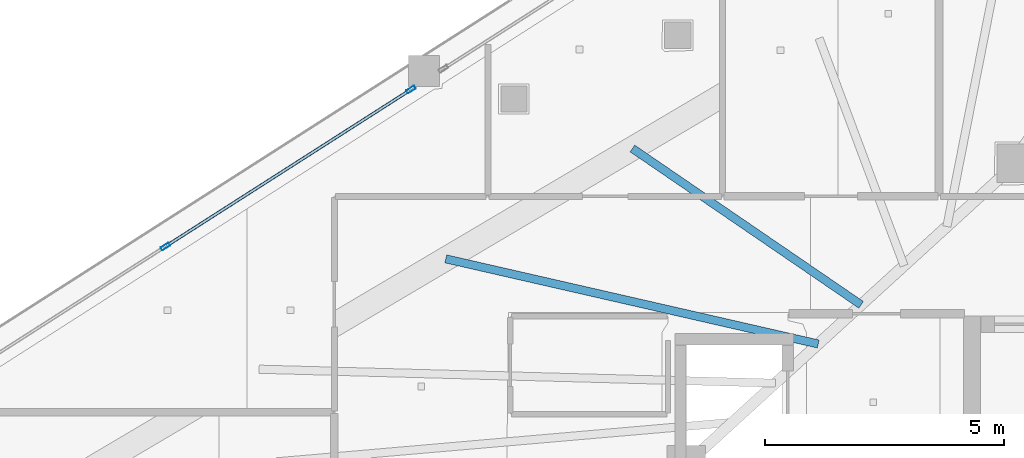
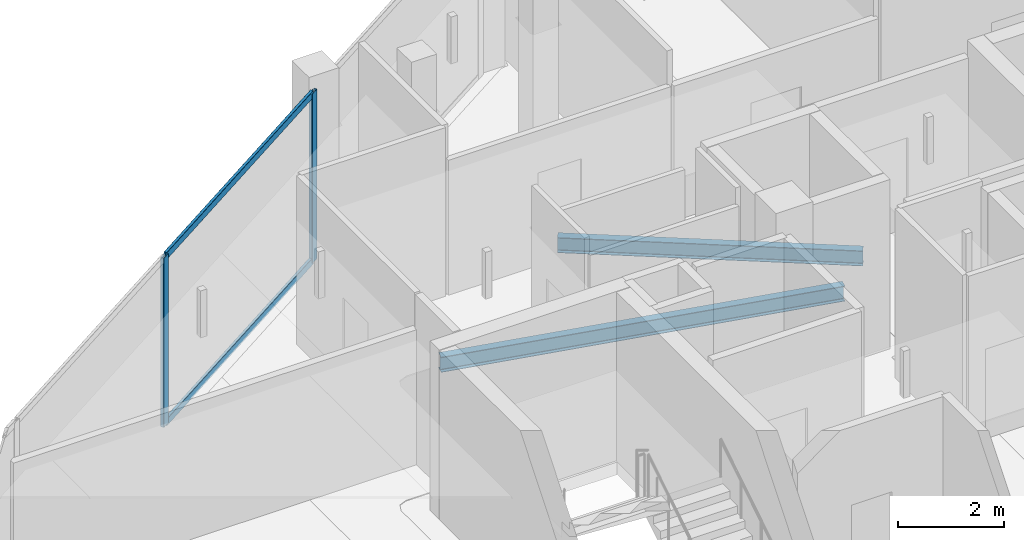
# One storey, part 15 of 33: 4 members, 2 beams, 1 element without a shape of its own.
"""IFC4 building model written with IfcOpenShell, lengths in metres."""

from ifc_helpers import new_model, si_unit, direction, frame, origin, origin_2d, place, context, subcontext, project, spatial, hollow_rectangle, i_section, extrude, material, layer, layer_set, material_profile, profile_set, type_object, element, aggregate, save


model = new_model("IFC4")

# Units and contexts
model_context = context("Model", 3, precision=1e-05, world=origin(), true_north=direction((0.0, 1.0)))
body_context = subcontext(model_context, "Body", "Model", "MODEL_VIEW")
ifc_project = project(units=[si_unit("LENGTHUNIT", "METRE"), si_unit("AREAUNIT", "SQUARE_METRE"), si_unit("VOLUMEUNIT", "CUBIC_METRE"), si_unit("PLANEANGLEUNIT", "RADIAN"), si_unit("MASSUNIT", "GRAM", prefix="KILO")], contexts=[model_context])

# Site, building, storey
site_placement = place(None, origin())
site = spatial("IfcSite", under=ifc_project, at=site_placement, CompositionType="ELEMENT")
building_placement = place(site_placement, origin())
building = spatial("IfcBuilding", under=site, at=building_placement, Name="Qorvath Tower", CompositionType="ELEMENT")
storey_placement = place(building_placement, frame((0.0, 0.0, 280.800048828125)))
storey = spatial("IfcBuildingStorey", under=building, at=storey_placement, Name="L65", CompositionType="ELEMENT", Elevation=280.800048828125)

# Beams
ifc_material_1 = material(Name="Steel ASTM A992 Grade 50", Category="steel")
ifc_material_profile_1 = material_profile(ifc_material_1, i_section(OverallWidth=0.1708984375, OverallDepth=0.35107421875, WebThickness=0.0068359375, FlangeThickness=0.009765625, FilletRadius=0.010009765625, at=origin_2d()), Name="W14x30")
ifc_profile_set_1 = profile_set([ifc_material_profile_1], Name="Steel ASTM A992 Grade 50")
beam_type = type_object("IfcBeamType", Name="BM-FJ4", PredefinedType="JOIST", material=ifc_profile_set_1)
beam_1_placement = place(storey_placement, frame((-27.739990234375, 7.669921875, -0.465576171875), z_axis=(-0.974852627195, 0.222850522212, 0.0), x_axis=(-0.222850522212, -0.974852627195, 0.0)))
element("IfcBeam", 1, at=beam_1_placement, inside=storey, type_object=beam_type, Name="Composite Floor Joist NW3 L65", PredefinedType="JOIST", context=body_context, shape_type="SweptSolid", body=[
    extrude(i_section(OverallWidth=0.1708984375, OverallDepth=0.35107421875, WebThickness=0.0068359375, FlangeThickness=0.009765625, FilletRadius=0.010009765625, at=origin_2d()), origin(), (0.0, 0.0, 1.0), 7.98974609375),
])
beam_2_placement = place(storey_placement, frame((-26.843017578125, 8.489013671875, -0.465576171875), z_axis=(-0.82557592702, 0.564291049658, 0.0), x_axis=(-0.564291049658, -0.82557592702, 0.0)))
element("IfcBeam", 2, at=beam_2_placement, inside=storey, type_object=beam_type, Name="Composite Floor Joist NW4 L65", PredefinedType="JOIST", context=body_context, shape_type="SweptSolid", body=[
    extrude(i_section(OverallWidth=0.1708984375, OverallDepth=0.35107421875, WebThickness=0.0068359375, FlangeThickness=0.009765625, FilletRadius=0.010009765625, at=origin_2d()), origin(), (0.0, 0.0, 1.0), 5.793212890625),
])

# Curtain wall, members
ifc_material_2 = material(Name="Anodised aluminium and triple low-E glass", Category="aluminium")
ifc_layer = layer(ifc_material_2, 0.179931640625)
ifc_layer_set = layer_set([ifc_layer], Name="CW-SYS-4")
curtain_wall_type = type_object("IfcCurtainWallType", Name="CW-SYS-4", PredefinedType="NOTDEFINED", material=ifc_layer_set)
curtain_wall_placement = place(storey_placement, origin())
curtain_wall = element("IfcCurtainWall", 3, at=curtain_wall_placement, inside=storey, type_object=curtain_wall_type, Name="Curtain Wall CW-4 CW-T-L65-16.3", PredefinedType="NOTDEFINED")
ifc_material_3 = material(Name="Anodised aluminium 6063-T6", Category="aluminium")
ifc_material_profile_2 = material_profile(ifc_material_3, hollow_rectangle(XDim=0.074951171875, YDim=0.199951171875, WallThickness=0.00390625, InnerFilletRadius=0.00390625, OuterFilletRadius=0.008056640625, at=origin_2d()), Name="CWM 200x75")
ifc_profile_set_2 = profile_set([ifc_material_profile_2], Name="Anodised aluminium 6063-T6")
member_type_1 = type_object("IfcMemberType", Name="CWM-200", PredefinedType="MULLION", material=ifc_profile_set_2)
member_1_placement = place(storey_placement, frame((-36.257080078125, 12.99072265625, 0.0), z_axis=(0.0, 0.0, 1.0), x_axis=(0.538537577367, -0.842601494043, 0.0)))
member_1 = element("IfcMember", 4, at=member_1_placement, type_object=member_type_1, Name="CW-4 mullion 1", PredefinedType="MULLION", context=body_context, shape_type="SweptSolid", body=[
    extrude(hollow_rectangle(XDim=0.074951171875, YDim=0.199951171875, WallThickness=0.00390625, InnerFilletRadius=0.00390625, OuterFilletRadius=0.008056640625, at=origin_2d()), origin(), (0.0, 0.0, 1.0), 3.909912109375),
])
member_2_placement = place(storey_placement, frame((-41.39208984375, 9.708984375, 0.0), z_axis=(0.0, 0.0, 1.0), x_axis=(0.538537577367, -0.842601494043, 0.0)))
member_2 = element("IfcMember", 5, at=member_2_placement, type_object=member_type_1, Name="CW-4 mullion 2", PredefinedType="MULLION", context=body_context, shape_type="SweptSolid", body=[
    extrude(hollow_rectangle(XDim=0.074951171875, YDim=0.199951171875, WallThickness=0.00390625, InnerFilletRadius=0.00390625, OuterFilletRadius=0.008056640625, at=origin_2d()), origin(), (0.0, 0.0, 1.0), 3.909912109375),
])
ifc_material_4 = material(Name="Anodised aluminium 6063-T6", Category="aluminium")
ifc_material_profile_3 = material_profile(ifc_material_4, hollow_rectangle(XDim=0.06494140625, YDim=0.159912109375, WallThickness=0.00341796875, InnerFilletRadius=0.00341796875, OuterFilletRadius=0.007080078125, at=origin_2d()), Name="CWT 160x65")
ifc_profile_set_3 = profile_set([ifc_material_profile_3], Name="Anodised aluminium 6063-T6")
member_type_2 = type_object("IfcMemberType", Name="CWT-160", PredefinedType="USERDEFINED", material=ifc_profile_set_3)
member_3_placement = place(storey_placement, frame((-36.288818359375, 12.970703125, 0.032470703125), z_axis=(-0.842590943579, -0.538554084377, 0.0), x_axis=(0.538554084377, -0.842590943579, 0.0)))
member_3 = element("IfcMember", 6, at=member_3_placement, type_object=member_type_2, Name="CW-4 transom 1.1", ObjectType="TRANSOM", PredefinedType="USERDEFINED", context=body_context, shape_type="SweptSolid", body=[
    extrude(hollow_rectangle(XDim=0.06494140625, YDim=0.159912109375, WallThickness=0.00341796875, InnerFilletRadius=0.00341796875, OuterFilletRadius=0.007080078125, at=origin_2d()), origin(), (0.0, 0.0, 1.0), 6.019287109375),
])
member_4_placement = place(storey_placement, frame((-36.288818359375, 12.970703125, 3.87744140625), z_axis=(-0.842590943579, -0.538554084377, 0.0), x_axis=(0.538554084377, -0.842590943579, 0.0)))
member_4 = element("IfcMember", 7, at=member_4_placement, type_object=member_type_2, Name="CW-4 transom 1.2", ObjectType="TRANSOM", PredefinedType="USERDEFINED", context=body_context, shape_type="SweptSolid", body=[
    extrude(hollow_rectangle(XDim=0.06494140625, YDim=0.159912109375, WallThickness=0.00341796875, InnerFilletRadius=0.00341796875, OuterFilletRadius=0.007080078125, at=origin_2d()), origin(), (0.0, 0.0, 1.0), 6.019287109375),
])
aggregate(curtain_wall, [member_1, member_2, member_3, member_4])

save(model, "model.ifc")
